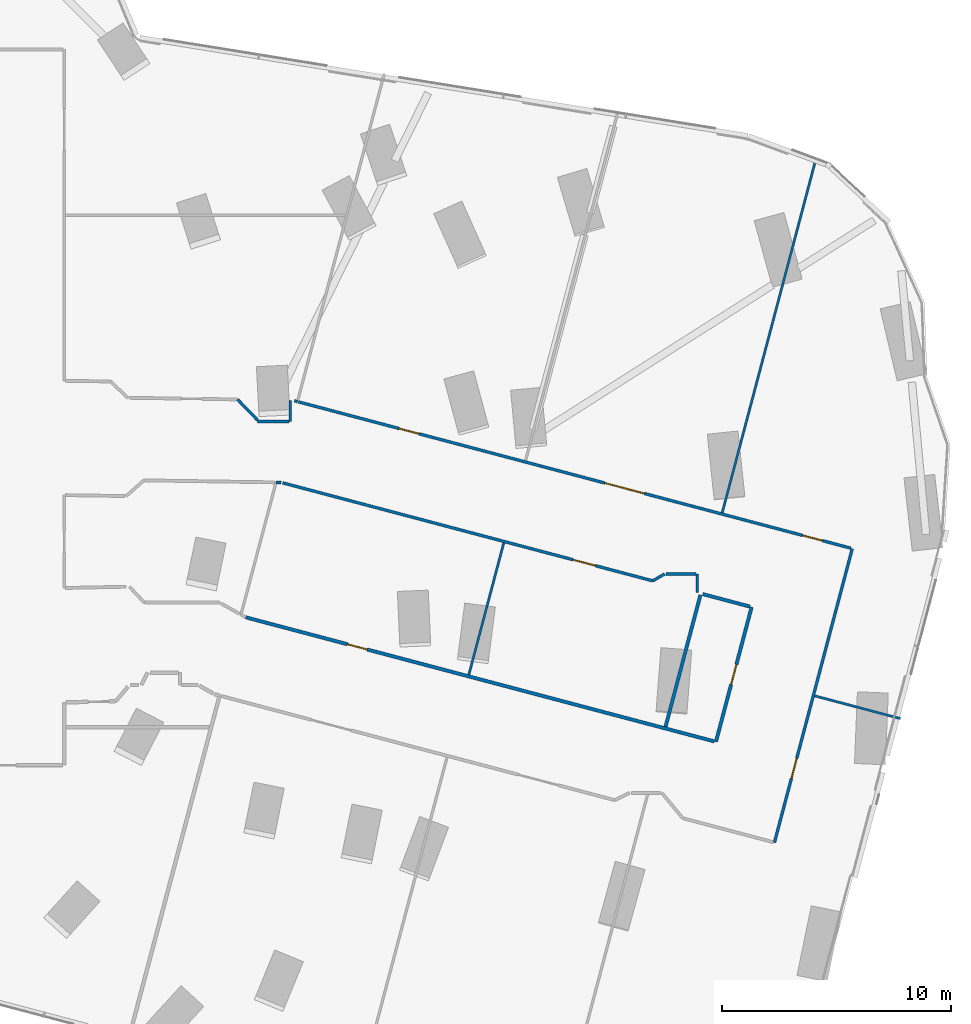
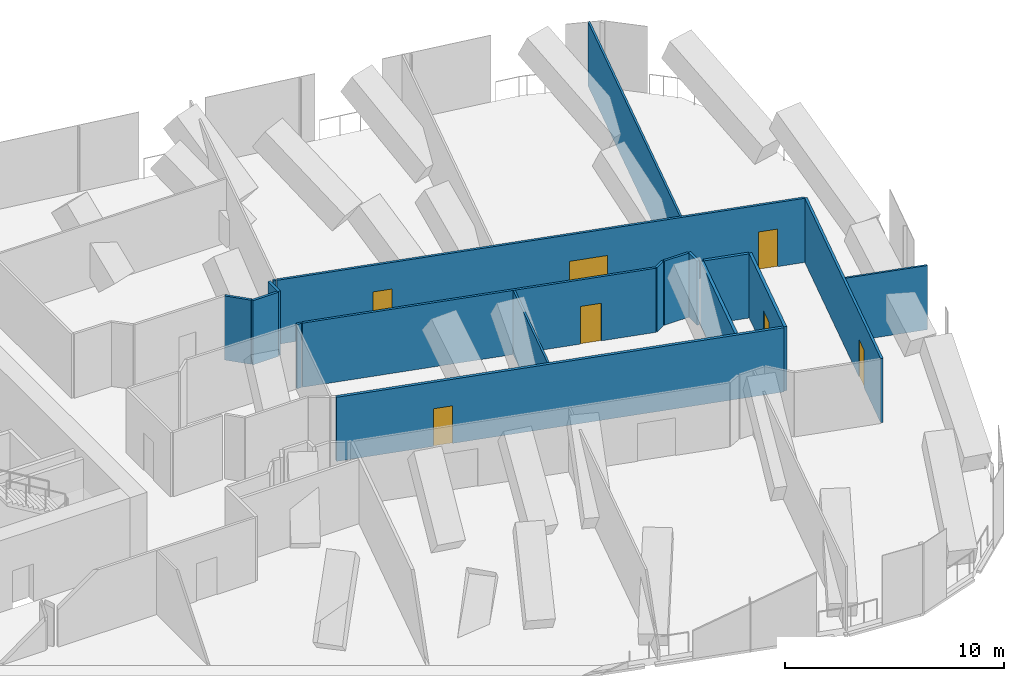
# One storey, part 31 of 37: 18 walls, 7 doors, 7 openings.
"""IFC4 building model written with IfcOpenShell, lengths in metres."""

import ifcopenshell
import ifcopenshell.guid

model = None  # the IFC model being written
_history = None  # IfcOwnerHistory: only IFC2X3 demands one
_inside = {}  # id of a spatial element -> (the spatial element, [elements in it])
_under = {}  # id of a project, library or spatial element -> (it, [spatial elements below it])
_declared = {}  # id of a project -> (the project, [libraries it declares])
_typed = {}  # id of a type object -> (the type object, [elements of that type])
_made_of = {}  # id of a material, layer set ... -> (it, [elements and type objects made of it])


def new_model(schema):
    """Start an empty IFC model of exactly this schema.

    Asked for "IFC4X3", IfcOpenShell would pick the latest addendum, in which some entities
    have other attributes; the version numbers below select the first issue.
    IFC2X3 requires an IfcOwnerHistory on every rooted entity: one is made here for all.
    """
    global model, _history
    if schema == "IFC4X3":
        model = ifcopenshell.file(schema_version=(4, 3, 0, 0))
    else:
        model = ifcopenshell.file(schema=schema)
    _inside.clear()
    _under.clear()
    _declared.clear()
    _typed.clear()
    _made_of.clear()
    _history = None
    if model.schema == "IFC2X3":
        org = make("IfcOrganization", Name="unknown")
        user = make(
            "IfcPersonAndOrganization",
            ThePerson=make("IfcPerson", FamilyName="unknown"),
            TheOrganization=org,
        )
        app = make(
            "IfcApplication",
            ApplicationDeveloper=org,
            Version="unknown",
            ApplicationFullName="unknown",
            ApplicationIdentifier="unknown",
        )
        _history = make(
            "IfcOwnerHistory",
            OwningUser=user,
            OwningApplication=app,
            ChangeAction="ADDED",
            CreationDate=0,
        )
    return model


def make(cls, **values):
    """One entity of the class cls with the attributes given. An attribute that is None is left unset."""
    return model.create_entity(
        cls, **{name: value for name, value in values.items() if value is not None}
    )


def rooted(cls, **values):
    """An entity with a GlobalId (a new one), such as an element, a storey or a relation."""
    return make(cls, GlobalId=ifcopenshell.guid.new(), OwnerHistory=_history, **values)


def si_unit(unit_type, name, prefix=None):
    """IfcSIUnit, for example si_unit("LENGTHUNIT", "METRE", prefix="MILLI")."""
    return make("IfcSIUnit", UnitType=unit_type, Prefix=prefix, Name=name)


def assignment(units):
    """IfcUnitAssignment: the units of a project."""
    return None if units is None else make("IfcUnitAssignment", Units=units)


def point(xyz):
    """IfcCartesianPoint."""
    return None if xyz is None else make("IfcCartesianPoint", Coordinates=xyz)


def direction(xyz):
    """IfcDirection."""
    return None if xyz is None else make("IfcDirection", DirectionRatios=xyz)


def frame(location, z_axis=None, x_axis=None):
    """IfcAxis2Placement3D, a coordinate frame: its origin and axes. An axis left out is left unset."""
    return make(
        "IfcAxis2Placement3D",
        Location=point(location),
        Axis=direction(z_axis),
        RefDirection=direction(x_axis),
    )


def frame_2d(location, x_axis=None):
    """IfcAxis2Placement2D, a coordinate frame in the plane: its origin and x axis."""
    return make(
        "IfcAxis2Placement2D", Location=point(location), RefDirection=direction(x_axis)
    )


def origin():
    """The frame at (0, 0, 0) with its axes left unset."""
    return frame((0.0, 0.0, 0.0))


def place(relative_to, where):
    """IfcLocalPlacement: puts the frame where relative to a parent placement (None: the world)."""
    return make(
        "IfcLocalPlacement", PlacementRelTo=relative_to, RelativePlacement=where
    )


def context(
    kind, dimensions, precision=None, world=None, true_north=None, identifier=None
):
    """IfcGeometricRepresentationContext, for example the 3D "Model" context."""
    return make(
        "IfcGeometricRepresentationContext",
        ContextIdentifier=identifier,
        ContextType=kind,
        CoordinateSpaceDimension=dimensions,
        Precision=precision,
        WorldCoordinateSystem=world,
        TrueNorth=true_north,
    )


def subcontext(parent, identifier, kind, view, scale=None):
    """IfcGeometricRepresentationSubContext, for example "Body" below "Model"."""
    return make(
        "IfcGeometricRepresentationSubContext",
        ContextIdentifier=identifier,
        ContextType=kind,
        ParentContext=parent,
        TargetScale=scale,
        TargetView=view,
    )


def project(units=None, contexts=None):
    """IfcProject with its units and contexts."""
    return rooted(
        "IfcProject",
        Name="project",
        RepresentationContexts=contexts,
        UnitsInContext=assignment(units),
    )


def spatial(cls, under=None, at=None, **own):
    """A site, building, storey or space (cls), placed at a placement, below another one or the project."""
    s = rooted(cls, ObjectPlacement=at, **own)
    if under is not None:
        _under.setdefault(under.id(), (under, []))[1].append(s)
    return s


def profile(cls, at=None, kind="AREA", **sizes):
    """A parametric profile (cls). Its sizes go by their IFC names, for example OverallWidth=200.0."""
    return make(cls, ProfileType=kind, Position=at, **sizes)


def rectangle(**sizes):
    """IfcRectangleProfileDef."""
    return profile("IfcRectangleProfileDef", **sizes)


def extrude(swept, where, along, depth):
    """IfcExtrudedAreaSolid: the profile swept, set in the frame where, extruded along a direction by depth."""
    return make(
        "IfcExtrudedAreaSolid",
        SweptArea=swept,
        Position=where,
        ExtrudedDirection=direction(along),
        Depth=depth,
    )


def shape(context_of_items, identifier, shape_type, items):
    """IfcShapeRepresentation: the items that make up one representation, for example the "Body"."""
    return make(
        "IfcShapeRepresentation",
        ContextOfItems=context_of_items,
        RepresentationIdentifier=identifier,
        RepresentationType=shape_type,
        Items=items,
    )


def material(Name=None, Category=None):
    """IfcMaterial."""
    return make("IfcMaterial", Name=Name, Category=Category)


def layer(
    of_material, thickness, ventilated=None, Name=None, Category=None, Priority=None
):
    """IfcMaterialLayer: one layer of a wall or slab, of a material (None: an air gap)."""
    return make(
        "IfcMaterialLayer",
        Material=of_material,
        LayerThickness=thickness,
        IsVentilated=ventilated,
        Name=Name,
        Category=Category,
        Priority=Priority,
    )


def layer_set(layers, Name=None):
    """IfcMaterialLayerSet."""
    return make("IfcMaterialLayerSet", MaterialLayers=layers, LayerSetName=Name)


def made_of(thing, what):
    """Note that an element or type object is made of a material, layer set ...; save() writes the relation."""
    if what is not None:
        _made_of.setdefault(what.id(), (what, []))[1].append(thing)
    return thing


def type_object(cls, material=None, **own):
    """A type object (cls), such as IfcWallType, which elements share."""
    return made_of(rooted(cls, **own), material)


def element(
    cls,
    number,
    at=None,
    inside=None,
    cuts=None,
    type_object=None,
    material=None,
    context=None,
    identifier="Body",
    shape_type=None,
    held_by="IfcProductDefinitionShape",
    body=None,
    shapes=None,
    **own,
):
    """One element of the class cls, such as IfcWall. Its Tag is "e" and its number.

    at: its placement. inside: the storey or other place that contains it. cuts: it is an
    opening in that element (IfcRelVoidsElement). A single representation is given by context,
    identifier, shape_type and body (its items); several are given by shapes. held_by: the class
    of the entity that holds the representations. save() writes the other relations.
    """
    e = rooted(cls, Tag="e%d" % number, ObjectPlacement=at, **own)
    if body is not None:
        shapes = [shape(context, identifier, shape_type, body)]
    if shapes is not None:
        e.Representation = make(held_by, Representations=shapes)
    if inside is not None:
        _inside.setdefault(inside.id(), (inside, []))[1].append(e)
    if cuts is not None:
        rooted(
            "IfcRelVoidsElement", RelatingBuildingElement=cuts, RelatedOpeningElement=e
        )
    if type_object is not None:
        _typed.setdefault(type_object.id(), (type_object, []))[1].append(e)
    return made_of(e, material)


def fill(opening, filler):
    """IfcRelFillsElement: the door or window that sits in an opening."""
    return rooted(
        "IfcRelFillsElement",
        RelatingOpeningElement=opening,
        RelatedBuildingElement=filler,
    )


def aggregate(whole, parts):
    """IfcRelAggregates: a whole, such as a stair, and the parts it consists of."""
    return rooted("IfcRelAggregates", RelatingObject=whole, RelatedObjects=parts)


def save(model, path):
    """Write the relations noted so far, then the file.

    IfcRelAggregates (storeys below a building ...), IfcRelContainedInSpatialStructure (elements
    in a storey), IfcRelDefinesByType, IfcRelAssociatesMaterial and IfcRelDeclares: one each for
    every whole, place, type object, material and project.
    """
    for whole, parts in _under.values():
        aggregate(whole, parts)
    for where, things in _inside.values():
        rooted(
            "IfcRelContainedInSpatialStructure",
            RelatedElements=things,
            RelatingStructure=where,
        )
    for kind, things in _typed.values():
        rooted("IfcRelDefinesByType", RelatedObjects=things, RelatingType=kind)
    for what, things in _made_of.values():
        rooted("IfcRelAssociatesMaterial", RelatedObjects=things, RelatingMaterial=what)
    for by, libraries in _declared.values():
        rooted("IfcRelDeclares", RelatingContext=by, RelatedDefinitions=libraries)
    model.write(path)


model = new_model("IFC4")

# Units and contexts
model_context = context("Model", 3, precision=1e-05, world=origin(), true_north=direction((0.0, 1.0)))
body_context = subcontext(model_context, "Body", "Model", "MODEL_VIEW")
ifc_project = project(units=[si_unit("LENGTHUNIT", "METRE"), si_unit("AREAUNIT", "SQUARE_METRE"), si_unit("VOLUMEUNIT", "CUBIC_METRE"), si_unit("PLANEANGLEUNIT", "RADIAN"), si_unit("MASSUNIT", "GRAM", prefix="KILO")], contexts=[model_context])

# Site, building, storey
site_placement = place(None, origin())
site = spatial("IfcSite", under=ifc_project, at=site_placement, CompositionType="ELEMENT")
building_placement = place(site_placement, origin())
building = spatial("IfcBuilding", under=site, at=building_placement, Name="Orlundy Tower", CompositionType="ELEMENT")
storey_placement = place(building_placement, frame((0.0, 0.0, 119.699951171875)))
storey = spatial("IfcBuildingStorey", under=building, at=storey_placement, Name="L30", CompositionType="ELEMENT", Elevation=119.699951171875)

# Walls
ifc_material_1 = material(Name="Gypsum board partition")
ifc_layer_1 = layer(ifc_material_1, 0.10009765625)
ifc_layer_set_1 = layer_set([ifc_layer_1], Name="Floor partition 100")
wall_type_1 = type_object("IfcWallType", Name="Floor partition 100", PredefinedType="PARTITIONING", material=ifc_layer_set_1)
wall_1_placement = place(storey_placement, frame((55.47998046875, -12.6240234375, 0.0), z_axis=(0.0, 0.0, 1.0), x_axis=(0.966682829602, -0.255977161, 0.0)))
element("IfcWall", 1, at=wall_1_placement, inside=storey, type_object=wall_type_1, Name="wall-int-L30-029", PredefinedType="PARTITIONING", context=body_context, shape_type="SweptSolid", body=[
    extrude(rectangle(XDim=3.886474609375, YDim=0.10009765625, at=frame_2d((1.943359375, 0.0))), origin(), (0.0, 0.0, 1.0), 3.580078125),
])
wall_2_placement = place(storey_placement, frame((51.43408203125, -4.60888671875, 0.0), z_axis=(0.0, 0.0, 1.0), x_axis=(0.256010706038, 0.966673946268, 0.0)))
element("IfcWall", 2, at=wall_2_placement, inside=storey, type_object=wall_type_1, Name="wall-int-L30-099", PredefinedType="PARTITIONING", context=body_context, shape_type="SweptSolid", body=[
    extrude(rectangle(XDim=16.073486328125, YDim=0.10009765625, at=frame_2d((8.03662109375, 0.0))), origin(), (0.0, 0.0, 1.0), 3.580078125),
])
wall_3_placement = place(storey_placement, frame((40.35107421875, -11.694091796875, 0.0), z_axis=(0.0, 0.0, 1.0), x_axis=(0.255944336433, 0.966691520935, 0.0)))
element("IfcWall", 3, at=wall_3_placement, inside=storey, type_object=wall_type_1, Name="wall-int-L30-101", PredefinedType="PARTITIONING", context=body_context, shape_type="SweptSolid", body=[
    extrude(rectangle(XDim=5.961669921875, YDim=0.10009765625, at=frame_2d((2.98095703125, 0.0))), origin(), (0.0, 0.0, 1.0), 3.580078125),
])
ifc_material_2 = material(Name="Gypsum board partition, double layer")
ifc_layer_2 = layer(ifc_material_2, 0.125)
ifc_layer_set_2 = layer_set([ifc_layer_2], Name="Floor partition 125")
wall_type_2 = type_object("IfcWallType", Name="Floor partition 125", PredefinedType="PARTITIONING", material=ifc_layer_set_2)
wall_4_placement = place(storey_placement, frame((30.23193359375, 0.342041015625, 0.0), z_axis=(0.0, 0.0, 1.0), x_axis=(0.696242915842, -0.717806242756, 0.0)))
element("IfcWall", 4, at=wall_4_placement, inside=storey, type_object=wall_type_2, Name="wall-int-L30-008", PredefinedType="PARTITIONING", context=body_context, shape_type="SweptSolid", body=[
    extrude(rectangle(XDim=1.2568359375, YDim=0.125, at=frame_2d((0.62841796875, 0.0))), origin(), (0.0, 0.0, 1.0), 3.580078125),
])

# Wall, opening, door
wall_5_placement = place(storey_placement, frame((48.39306640625, -7.592041015625, 0.0), z_axis=(0.0, 0.0, 1.0), x_axis=(-0.966683482387, 0.255974695781, 0.0)))
wall_5 = element("IfcWall", 5, at=wall_5_placement, inside=storey, type_object=wall_type_2, Name="wall-int-L30-030", PredefinedType="PARTITIONING", context=body_context, shape_type="SweptSolid", body=[
    extrude(rectangle(XDim=16.748291015625, YDim=0.125, at=frame_2d((8.3740234375, 0.0))), origin(), (0.0, 0.0, 1.0), 3.580078125),
])
opening_1_placement = place(wall_5_placement, frame((2.595947265625, 0.0, 0.0)))
opening_1 = element("IfcOpeningElement", 6, at=opening_1_placement, cuts=wall_5, Name="Opening 23104", PredefinedType="OPENING", context=body_context, shape_type="SweptSolid", body=[
    extrude(rectangle(XDim=1.0, YDim=2.10009765625, at=frame_2d((0.5, 1.050048828125))), frame((0.0, 0.072509765625, 0.0), z_axis=(0.0, -1.0, 0.0), x_axis=(1.0, 0.0, 0.0)), (0.0, 0.0, 1.0), 0.14501953125),
])
ifc_material_3 = material(Name="Timber door leaf", Category="wood")
door_type_1 = type_object("IfcDoorType", Name="Floor door wide 1000 FD30S", OperationType="NOTDEFINED", PredefinedType="DOOR", material=ifc_material_3)
door_1_placement = place(opening_1_placement, origin())
door_1 = element("IfcDoor", 7, at=door_1_placement, inside=storey, type_object=door_type_1, Name="Door 23104", OperationType="SINGLE_SWING_LEFT", OverallHeight=2.10009765625, OverallWidth=1.0, PredefinedType="DOOR", context=body_context, shape_type="SweptSolid", body=[
    extrude(rectangle(XDim=1.0, YDim=2.10009765625, at=frame_2d((0.5, 1.050048828125))), frame((0.0, 0.02490234375, 0.0), z_axis=(0.0, -1.0, 0.0), x_axis=(1.0, 0.0, 0.0)), (0.0, 0.0, 1.0), 0.050048828125),
])
fill(opening_1, door_1)

# Wall, openings, doors
wall_6_placement = place(storey_placement, frame((32.89990234375, 0.236083984375, 0.0), z_axis=(0.0, 0.0, 1.0), x_axis=(0.966662717932, -0.256053099493, 0.0)))
wall_6 = element("IfcWall", 8, at=wall_6_placement, inside=storey, type_object=wall_type_2, Name="wall-int-L30-032", PredefinedType="PARTITIONING", context=body_context, shape_type="SweptSolid", body=[
    extrude(rectangle(XDim=24.995361328125, YDim=0.125, at=frame_2d((12.49755859375, 0.0))), origin(), (0.0, 0.0, 1.0), 3.580078125),
])
opening_2_placement = place(wall_6_placement, frame((4.550048828125, 0.0, 0.0)))
opening_2 = element("IfcOpeningElement", 9, at=opening_2_placement, cuts=wall_6, Name="Opening 23101", PredefinedType="OPENING", context=body_context, shape_type="SweptSolid", body=[
    extrude(rectangle(XDim=0.89990234375, YDim=2.10009765625, at=frame_2d((0.449951171875, 1.050048828125))), frame((0.0, 0.072509765625, 0.0), z_axis=(0.0, -1.0, 0.0), x_axis=(1.0, 0.0, 0.0)), (0.0, 0.0, 1.0), 0.14501953125),
])
opening_3_placement = place(wall_6_placement, frame((13.856689453125, 0.0, 0.0)))
opening_3 = element("IfcOpeningElement", 10, at=opening_3_placement, cuts=wall_6, Name="Opening 23102", PredefinedType="OPENING", context=body_context, shape_type="SweptSolid", body=[
    extrude(rectangle(XDim=1.800048828125, YDim=2.10009765625, at=frame_2d((0.89990234375, 1.050048828125))), frame((0.0, 0.072509765625, 0.0), z_axis=(0.0, -1.0, 0.0), x_axis=(1.0, 0.0, 0.0)), (0.0, 0.0, 1.0), 0.14501953125),
])
opening_4_placement = place(wall_6_placement, frame((22.8046875, 0.0, 0.0)))
opening_4 = element("IfcOpeningElement", 11, at=opening_4_placement, cuts=wall_6, Name="Opening 23105", PredefinedType="OPENING", context=body_context, shape_type="SweptSolid", body=[
    extrude(rectangle(XDim=0.89990234375, YDim=2.10009765625, at=frame_2d((0.449951171875, 1.050048828125))), frame((0.0, 0.072509765625, 0.0), z_axis=(0.0, -1.0, 0.0), x_axis=(1.0, 0.0, 0.0)), (0.0, 0.0, 1.0), 0.14501953125),
])
ifc_material_4 = material(Name="Timber door leaf", Category="wood")
door_type_2 = type_object("IfcDoorType", Name="Floor door double 1800 FD30S", OperationType="NOTDEFINED", PredefinedType="DOOR", material=ifc_material_4)
door_2_placement = place(opening_3_placement, origin())
door_2 = element("IfcDoor", 12, at=door_2_placement, inside=storey, type_object=door_type_2, Name="Door 23102", OperationType="DOUBLE_DOOR_SINGLE_SWING", OverallHeight=2.10009765625, OverallWidth=1.800048828125, PredefinedType="DOOR", context=body_context, shape_type="SweptSolid", body=[
    extrude(rectangle(XDim=1.800048828125, YDim=2.10009765625, at=frame_2d((0.89990234375, 1.050048828125))), frame((0.0, 0.02490234375, 0.0), z_axis=(0.0, -1.0, 0.0), x_axis=(1.0, 0.0, 0.0)), (0.0, 0.0, 1.0), 0.050048828125),
])
fill(opening_3, door_2)
ifc_material_5 = material(Name="Timber door leaf", Category="wood")
door_type_3 = type_object("IfcDoorType", Name="Floor door single 900 FD30S", OperationType="NOTDEFINED", PredefinedType="DOOR", material=ifc_material_5)
door_3_placement = place(opening_2_placement, origin())
door_3 = element("IfcDoor", 13, at=door_3_placement, inside=storey, type_object=door_type_3, Name="Door 23101", OperationType="SINGLE_SWING_LEFT", OverallHeight=2.10009765625, OverallWidth=0.89990234375, PredefinedType="DOOR", context=body_context, shape_type="SweptSolid", body=[
    extrude(rectangle(XDim=0.89990234375, YDim=2.10009765625, at=frame_2d((0.449951171875, 1.050048828125))), frame((0.0, 0.02490234375, 0.0), z_axis=(0.0, -1.0, 0.0), x_axis=(1.0, 0.0, 0.0)), (0.0, 0.0, 1.0), 0.050048828125),
])
fill(opening_2, door_3)
door_4_placement = place(opening_4_placement, origin())
door_4 = element("IfcDoor", 14, at=door_4_placement, inside=storey, type_object=door_type_3, Name="Door 23105", OperationType="SINGLE_SWING_RIGHT", OverallHeight=2.10009765625, OverallWidth=0.89990234375, PredefinedType="DOOR", context=body_context, shape_type="SweptSolid", body=[
    extrude(rectangle(XDim=0.89990234375, YDim=2.10009765625, at=frame_2d((0.449951171875, 1.050048828125))), frame((0.0, 0.02490234375, 0.0), z_axis=(0.0, -1.0, 0.0), x_axis=(1.0, 0.0, 0.0)), (0.0, 0.0, 1.0), 0.050048828125),
])
fill(opening_4, door_4)

# Walls
wall_7_placement = place(storey_placement, frame((32.717041015625, 0.283935546875, 0.0), z_axis=(0.0, 0.0, 1.0), x_axis=(0.968154228268, -0.250354529191, 0.0)))
element("IfcWall", 15, at=wall_7_placement, inside=storey, type_object=wall_type_2, Name="wall-int-L30-033", PredefinedType="PARTITIONING", context=body_context, shape_type="SweptSolid", body=[
    extrude(rectangle(XDim=0.139404296875, YDim=0.125, at=frame_2d((0.06982421875, 0.0))), origin(), (0.0, 0.0, 1.0), 3.580078125),
])
wall_8_placement = place(storey_placement, frame((31.916015625, -3.284912109375, 0.0), z_axis=(0.0, 0.0, 1.0), x_axis=(0.99983297052, -0.018276516665, 0.0)))
element("IfcWall", 16, at=wall_8_placement, inside=storey, type_object=wall_type_2, Name="wall-int-L30-036", PredefinedType="PARTITIONING", context=body_context, shape_type="SweptSolid", body=[
    extrude(rectangle(XDim=0.22705078125, YDim=0.125, at=frame_2d((0.113525390625, 0.0))), origin(), (0.0, 0.0, 1.0), 3.580078125),
])
wall_9_placement = place(storey_placement, frame((48.97509765625, -7.29296875, 0.0), z_axis=(0.0, 0.0, 1.0), x_axis=(1.0, 0.0, 0.0)))
element("IfcWall", 17, at=wall_9_placement, inside=storey, type_object=wall_type_2, Name="wall-int-L30-062", PredefinedType="PARTITIONING", context=body_context, shape_type="SweptSolid", body=[
    extrude(rectangle(XDim=1.30078125, YDim=0.125, at=frame_2d((0.650390625, 0.0))), origin(), (0.0, 0.0, 1.0), 3.580078125),
])
wall_10_placement = place(storey_placement, frame((31.110107421875, -0.6220703125, 0.0), z_axis=(0.0, 0.0, 1.0), x_axis=(1.0, 0.0, 0.0)))
element("IfcWall", 18, at=wall_10_placement, inside=storey, type_object=wall_type_2, Name="wall-int-L30-064", PredefinedType="PARTITIONING", context=body_context, shape_type="SweptSolid", body=[
    extrude(rectangle(XDim=1.364013671875, YDim=0.125, at=frame_2d((0.68212890625, 0.0))), origin(), (0.0, 0.0, 1.0), 3.580078125),
])

# Wall, opening, door
wall_11_placement = place(storey_placement, frame((57.12109375, -6.18603515625, 0.0), z_axis=(0.0, 0.0, 1.0), x_axis=(-0.256054079854, -0.96666245825, 0.0)))
wall_11 = element("IfcWall", 19, at=wall_11_placement, inside=storey, type_object=wall_type_2, Name="wall-int-L30-095", PredefinedType="PARTITIONING", context=body_context, shape_type="SweptSolid", body=[
    extrude(rectangle(XDim=13.294189453125, YDim=0.125, at=frame_2d((6.64697265625, 0.0))), origin(), (0.0, 0.0, 1.0), 3.580078125),
])
opening_5_placement = place(wall_11_placement, frame((9.493408203125, 0.0, 0.0)))
opening_5 = element("IfcOpeningElement", 20, at=opening_5_placement, cuts=wall_11, Name="Opening 23106", PredefinedType="OPENING", context=body_context, shape_type="SweptSolid", body=[
    extrude(rectangle(XDim=0.89990234375, YDim=2.10009765625, at=frame_2d((0.449951171875, 1.050048828125))), frame((0.0, 0.072509765625, 0.0), z_axis=(0.0, -1.0, 0.0), x_axis=(1.0, 0.0, 0.0)), (0.0, 0.0, 1.0), 0.14501953125),
])
door_5_placement = place(opening_5_placement, origin())
door_5 = element("IfcDoor", 21, at=door_5_placement, inside=storey, type_object=door_type_3, Name="Door 23106", OperationType="SINGLE_SWING_RIGHT", OverallHeight=2.10009765625, OverallWidth=0.89990234375, PredefinedType="DOOR", context=body_context, shape_type="SweptSolid", body=[
    extrude(rectangle(XDim=0.89990234375, YDim=2.10009765625, at=frame_2d((0.449951171875, 1.050048828125))), frame((0.0, 0.02490234375, 0.0), z_axis=(0.0, -1.0, 0.0), x_axis=(1.0, 0.0, 0.0)), (0.0, 0.0, 1.0), 0.050048828125),
])
fill(opening_5, door_5)

# Walls
wall_12_placement = place(storey_placement, frame((48.39306640625, -7.592041015625, 0.0), z_axis=(0.0, 0.0, 1.0), x_axis=(0.866862333103, 0.49854758594, 0.0)))
element("IfcWall", 22, at=wall_12_placement, inside=storey, type_object=wall_type_2, Name="wall-int-L30-106", PredefinedType="PARTITIONING", context=body_context, shape_type="SweptSolid", body=[
    extrude(rectangle(XDim=0.599853515625, YDim=0.125, at=frame_2d((0.2998046875, 0.0))), origin(), (0.0, 0.0, 1.0), 3.580078125),
])
wall_13_placement = place(storey_placement, frame((50.339111328125, -8.10791015625, 0.0), z_axis=(0.0, 0.0, 1.0), x_axis=(0.0, 1.0, 0.0)))
element("IfcWall", 23, at=wall_13_placement, inside=storey, type_object=wall_type_2, Name="wall-int-L30-112", PredefinedType="PARTITIONING", context=body_context, shape_type="SweptSolid", body=[
    extrude(rectangle(XDim=0.81494140625, YDim=0.125, at=frame_2d((0.407470703125, 0.0))), origin(), (0.0, 0.0, 1.0), 3.580078125),
])
wall_14_placement = place(storey_placement, frame((32.535888671875, -0.6220703125, 0.0), z_axis=(0.0, 0.0, 1.0), x_axis=(0.0, 1.0, 0.0)))
element("IfcWall", 24, at=wall_14_placement, inside=storey, type_object=wall_type_2, Name="wall-int-L30-114", PredefinedType="PARTITIONING", context=body_context, shape_type="SweptSolid", body=[
    extrude(rectangle(XDim=0.927978515625, YDim=0.125, at=frame_2d((0.4638671875, 0.0))), origin(), (0.0, 0.0, 1.0), 3.580078125),
])

# Wall, opening, door
ifc_material_6 = material(Name="Blockwork shaft wall", Category="masonry")
ifc_layer_3 = layer(ifc_material_6, 0.14990234375)
ifc_layer_set_3 = layer_set([ifc_layer_3], Name="Floor shaft wall 150")
wall_type_3 = type_object("IfcWallType", Name="Floor shaft wall 150", PredefinedType="PARTITIONING", material=ifc_layer_set_3)
wall_15_placement = place(storey_placement, frame((30.589111328125, -9.18701171875, 0.0), z_axis=(0.0, 0.0, 1.0), x_axis=(0.966677828303, -0.255996047367, 0.0)))
wall_15 = element("IfcWall", 25, at=wall_15_placement, inside=storey, type_object=wall_type_3, Name="wall-int-L30-028", PredefinedType="PARTITIONING", context=body_context, shape_type="SweptSolid", body=[
    extrude(rectangle(XDim=21.203369140625, YDim=0.14990234375, at=frame_2d((10.6015625, 0.0))), origin(), (0.0, 0.0, 1.0), 3.580078125),
])
opening_6_placement = place(wall_15_placement, frame((4.60009765625, 0.0, 0.0)))
opening_6 = element("IfcOpeningElement", 26, at=opening_6_placement, cuts=wall_15, Name="Opening 23103", PredefinedType="OPENING", context=body_context, shape_type="SweptSolid", body=[
    extrude(rectangle(XDim=0.89990234375, YDim=2.10009765625, at=frame_2d((0.449951171875, 1.050048828125))), frame((0.0, 0.0849609375, 0.0), z_axis=(0.0, -1.0, 0.0), x_axis=(1.0, 0.0, 0.0)), (0.0, 0.0, 1.0), 0.169921875),
])
ifc_material_7 = material(Name="Timber door leaf", Category="wood")
door_type_4 = type_object("IfcDoorType", Name="Floor door single 900 FD60", OperationType="NOTDEFINED", PredefinedType="DOOR", material=ifc_material_7)
door_6_placement = place(opening_6_placement, origin())
door_6 = element("IfcDoor", 27, at=door_6_placement, inside=storey, type_object=door_type_4, Name="Door 23103", OperationType="SINGLE_SWING_LEFT", OverallHeight=2.10009765625, OverallWidth=0.89990234375, PredefinedType="DOOR", context=body_context, shape_type="SweptSolid", body=[
    extrude(rectangle(XDim=0.89990234375, YDim=2.10009765625, at=frame_2d((0.449951171875, 1.050048828125))), frame((0.0, 0.02490234375, 0.0), z_axis=(0.0, -1.0, 0.0), x_axis=(1.0, 0.0, 0.0)), (0.0, 0.0, 1.0), 0.050048828125),
])
fill(opening_6, door_6)

# Wall
wall_16_placement = place(storey_placement, frame((50.577880859375, -8.1708984375, 0.0), z_axis=(0.0, 0.0, 1.0), x_axis=(0.966659569992, -0.256064983437, 0.0)))
element("IfcWall", 28, at=wall_16_placement, inside=storey, type_object=wall_type_3, Name="wall-int-L30-031", PredefinedType="PARTITIONING", context=body_context, shape_type="SweptSolid", body=[
    extrude(rectangle(XDim=2.140380859375, YDim=0.14990234375, at=frame_2d((1.0703125, 0.0))), origin(), (0.0, 0.0, 1.0), 3.580078125),
])

# Wall, opening, door
wall_17_placement = place(storey_placement, frame((51.157958984375, -14.634033203125, 0.0), z_axis=(0.0, 0.0, 1.0), x_axis=(0.255943170155, 0.966691829722, 0.0)))
wall_17 = element("IfcWall", 29, at=wall_17_placement, inside=storey, type_object=wall_type_3, Name="wall-int-L30-096", PredefinedType="PARTITIONING", context=body_context, shape_type="SweptSolid", body=[
    extrude(rectangle(XDim=6.09912109375, YDim=0.14990234375, at=frame_2d((3.049560546875, 0.0))), origin(), (0.0, 0.0, 1.0), 3.580078125),
])
opening_7_placement = place(wall_17_placement, frame((2.60009765625, 0.0, 0.0)))
opening_7 = element("IfcOpeningElement", 30, at=opening_7_placement, cuts=wall_17, Name="Opening 23100", PredefinedType="OPENING", context=body_context, shape_type="SweptSolid", body=[
    extrude(rectangle(XDim=0.89990234375, YDim=2.10009765625, at=frame_2d((0.449951171875, 1.050048828125))), frame((0.0, 0.0849609375, 0.0), z_axis=(0.0, -1.0, 0.0), x_axis=(1.0, 0.0, 0.0)), (0.0, 0.0, 1.0), 0.169921875),
])
door_7_placement = place(opening_7_placement, origin())
door_7 = element("IfcDoor", 31, at=door_7_placement, inside=storey, type_object=door_type_4, Name="Door 23100", OperationType="SINGLE_SWING_RIGHT", OverallHeight=2.10009765625, OverallWidth=0.89990234375, PredefinedType="DOOR", context=body_context, shape_type="SweptSolid", body=[
    extrude(rectangle(XDim=0.89990234375, YDim=2.10009765625, at=frame_2d((0.449951171875, 1.050048828125))), frame((0.0, 0.02490234375, 0.0), z_axis=(0.0, -1.0, 0.0), x_axis=(1.0, 0.0, 0.0)), (0.0, 0.0, 1.0), 0.050048828125),
])
fill(opening_7, door_7)

# Wall
wall_18_placement = place(storey_placement, frame((48.9541015625, -13.971923828125, 0.0), z_axis=(0.0, 0.0, 1.0), x_axis=(0.255954468908, 0.966688838172, 0.0)))
element("IfcWall", 32, at=wall_18_placement, inside=storey, type_object=wall_type_3, Name="wall-int-L30-098", PredefinedType="PARTITIONING", context=body_context, shape_type="SweptSolid", body=[
    extrude(rectangle(XDim=5.96142578125, YDim=0.14990234375, at=frame_2d((2.980712890625, 0.0))), origin(), (0.0, 0.0, 1.0), 3.580078125),
])

save(model, "model.ifc")
